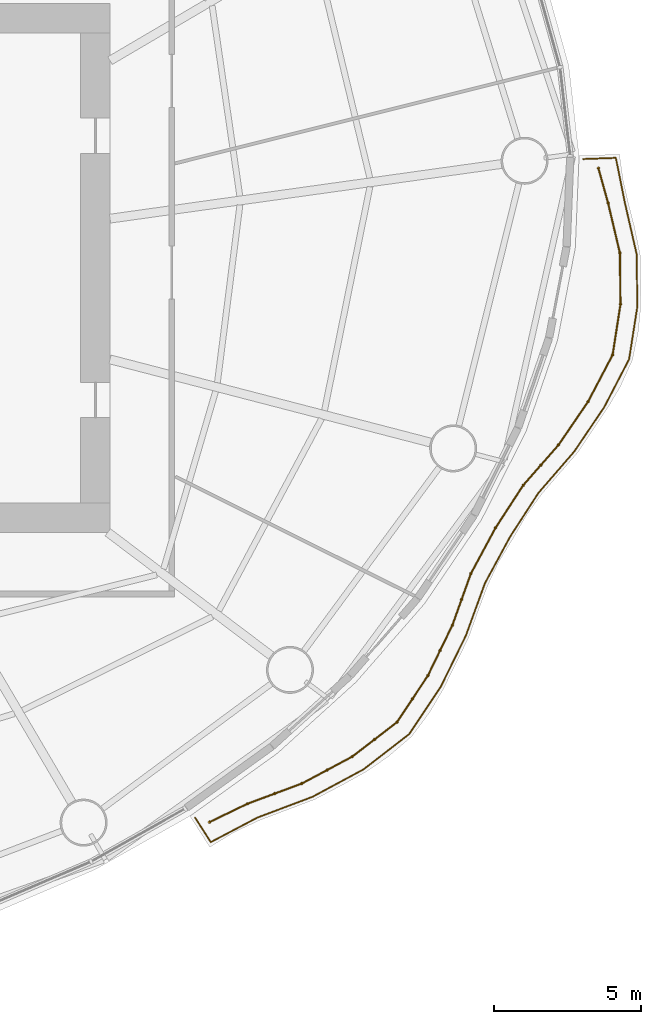
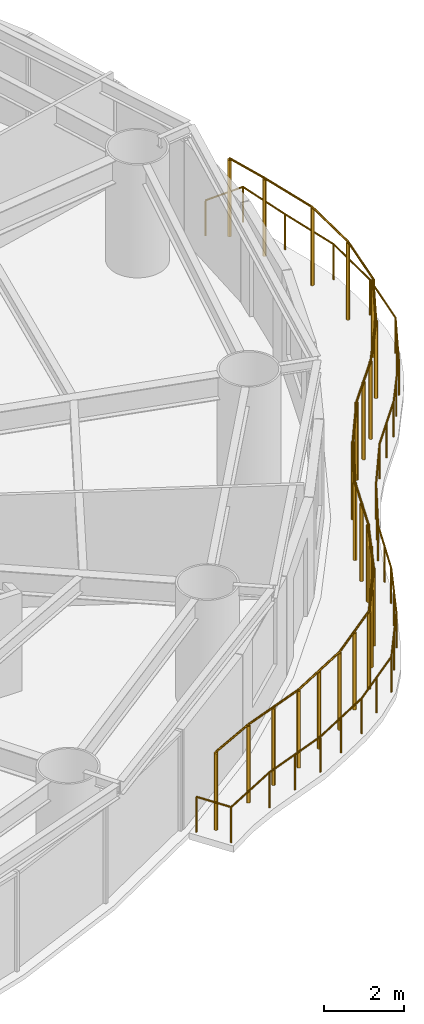
# One storey, part 14 of 16: 2 railings.
"""IFC4 building model written with IfcOpenShell, lengths in metres."""

from ifc_helpers import new_model, si_unit, direction, frame, origin, origin_2d, place, context, subcontext, project, spatial, circle, extrude, material, type_object, element, save


model = new_model("IFC4")

# Units and contexts
model_context = context("Model", 3, precision=1e-05, world=origin(), true_north=direction((0.0, 1.0)))
body_context = subcontext(model_context, "Body", "Model", "MODEL_VIEW")
ifc_project = project(units=[si_unit("LENGTHUNIT", "METRE"), si_unit("AREAUNIT", "SQUARE_METRE"), si_unit("VOLUMEUNIT", "CUBIC_METRE"), si_unit("PLANEANGLEUNIT", "RADIAN"), si_unit("MASSUNIT", "GRAM", prefix="KILO")], contexts=[model_context])

# Site, building, storey
site_placement = place(None, origin())
site = spatial("IfcSite", under=ifc_project, at=site_placement, CompositionType="ELEMENT")
building_placement = place(site_placement, origin())
building = spatial("IfcBuilding", under=site, at=building_placement, Name="Vermilion Reach Broadcast Tower", CompositionType="ELEMENT")
storey_placement = place(building_placement, frame((0.0, 0.0, 113.800048828125)))
storey = spatial("IfcBuildingStorey", under=building, at=storey_placement, Name="L26", CompositionType="ELEMENT", Elevation=113.800048828125)

# Railings
ifc_material_1 = material(Name="Terracotta baguette", Category="masonry")
railing_type_1 = type_object("IfcRailingType", Name="BAGUETTE SCREEN", PredefinedType="USERDEFINED", material=ifc_material_1)
railing_1_placement = place(storey_placement, frame((9.38330078125, -18.864501953125, 0.0)))
element("IfcRailing", 1, at=railing_1_placement, inside=storey, type_object=railing_type_1, Name="Baguette screen L26 group 4", ObjectType="BAGUETTE SCREEN", PredefinedType="USERDEFINED", context=body_context, shape_type="SweptSolid", body=[
    extrude(circle(Radius=0.030029296875, at=origin_2d()), frame((0.0, 0.0, 2.369873046875), z_axis=(0.900363381752, 0.435138806359, 0.0), x_axis=(-0.435138806359, 0.900363381752, 0.0)), (0.0, 0.0, 1.0), 1.436279296875),
    extrude(circle(Radius=0.030029296875, at=origin_2d()), frame((1.293212890625, 0.625, 2.369873046875), z_axis=(0.937298696392, 0.348527120527, 0.0), x_axis=(-0.348527120527, 0.937298696392, 0.0)), (0.0, 0.0, 1.0), 1.9794921875),
    extrude(circle(Radius=0.030029296875, at=origin_2d()), frame((3.148681640625, 1.31494140625, 2.369873046875), z_axis=(0.882196014304, 0.470882355101, 0.0), x_axis=(-0.470882355101, 0.882196014304, 0.0)), (0.0, 0.0, 1.0), 1.9384765625),
    extrude(circle(Radius=0.030029296875, at=origin_2d()), frame((4.85888671875, 2.227783203125, 2.369873046875), z_axis=(0.792251511887, 0.610194675422, 0.0), x_axis=(-0.610194675422, 0.792251511887, 0.0)), (0.0, 0.0, 1.0), 1.92578125),
    extrude(circle(Radius=0.030029296875, at=origin_2d()), frame((6.384521484375, 3.40283203125, 2.369873046875), z_axis=(0.552652500035, 0.833411791496, 0.0), x_axis=(-0.833411791496, 0.552652500035, 0.0)), (0.0, 0.0, 1.0), 1.89990234375),
    extrude(circle(Radius=0.030029296875, at=origin_2d()), frame((7.4345703125, 4.986328125, 2.369873046875), z_axis=(0.437007409004, 0.899457905894, 0.0), x_axis=(-0.899457905894, 0.437007409004, 0.0)), (0.0, 0.0, 1.0), 1.909423828125),
    extrude(circle(Radius=0.030029296875, at=origin_2d()), frame((8.26904296875, 6.703857421875, 2.369873046875), z_axis=(0.337101334645, 0.941468369188, 0.0), x_axis=(-0.941468369188, 0.337101334645, 0.0)), (0.0, 0.0, 1.0), 1.85986328125),
    extrude(circle(Radius=0.030029296875, at=origin_2d()), frame((8.89599609375, 8.454833984375, 2.369873046875), z_axis=(0.474378990574, 0.880320721841, 0.0), x_axis=(-0.880320721841, 0.474378990574, 0.0)), (0.0, 0.0, 1.0), 1.77294921875),
    extrude(circle(Radius=0.030029296875, at=origin_2d()), frame((9.737060546875, 10.015625, 2.369873046875), z_axis=(0.544859378007, 0.838527434374, 0.0), x_axis=(-0.838527434374, 0.544859378007, 0.0)), (0.0, 0.0, 1.0), 1.72998046875),
    extrude(circle(Radius=0.030029296875, at=origin_2d()), frame((10.6796875, 11.46630859375, 2.369873046875), z_axis=(0.658959628995, 0.752178308219, 0.0), x_axis=(-0.752178308219, 0.658959628995, 0.0)), (0.0, 0.0, 1.0), 1.82275390625),
    extrude(circle(Radius=0.030029296875, at=origin_2d()), frame((11.880859375, 12.83740234375, 2.369873046875), z_axis=(0.563756893247, 0.825940775914, 0.0), x_axis=(-0.825940775914, 0.563756893247, 0.0)), (0.0, 0.0, 1.0), 1.78515625),
    extrude(circle(Radius=0.030029296875, at=origin_2d()), frame((12.88720703125, 14.311767578125, 2.369873046875), z_axis=(0.464442958968, 0.885603036278, 0.0), x_axis=(-0.885603036278, 0.464442958968, 0.0)), (0.0, 0.0, 1.0), 1.79931640625),
    extrude(circle(Radius=0.030029296875, at=origin_2d()), frame((13.722900390625, 15.9052734375, 2.369873046875), z_axis=(0.153216854826, 0.988192590236, 0.0), x_axis=(-0.988192590236, 0.153216854826, 0.0)), (0.0, 0.0, 1.0), 1.739990234375),
    extrude(circle(Radius=0.030029296875, at=origin_2d()), frame((13.989501953125, 17.624755859375, 2.369873046875), z_axis=(-0.01171794542, 0.999931342521, 0.0), x_axis=(-0.999931342521, -0.01171794542, 0.0)), (0.0, 0.0, 1.0), 1.75),
    extrude(circle(Radius=0.030029296875, at=origin_2d()), frame((13.968994140625, 19.374755859375, 2.369873046875), z_axis=(-0.230145836808, 0.97315615078, 0.0), x_axis=(-0.97315615078, -0.230145836808, 0.0)), (0.0, 0.0, 1.0), 1.74609375),
    extrude(circle(Radius=0.030029296875, at=origin_2d()), frame((13.567138671875, 21.073974609375, 2.369873046875), z_axis=(-0.267551662831, 0.963543516255, 0.0), x_axis=(-0.963543516255, -0.267551662831, 0.0)), (0.0, 0.0, 1.0), 1.229248046875),
    extrude(circle(Radius=0.050048828125, at=origin_2d()), origin(), (0.0, 0.0, 1.0), 2.33984375),
    extrude(circle(Radius=0.050048828125, at=origin_2d()), frame((1.293212890625, 0.625, 0.0)), (0.0, 0.0, 1.0), 2.33984375),
    extrude(circle(Radius=0.050048828125, at=origin_2d()), frame((2.220947265625, 0.969970703125, 0.0)), (0.0, 0.0, 1.0), 2.33984375),
    extrude(circle(Radius=0.050048828125, at=origin_2d()), frame((3.148681640625, 1.31494140625, 0.0)), (0.0, 0.0, 1.0), 2.33984375),
    extrude(circle(Radius=0.050048828125, at=origin_2d()), frame((4.00390625, 1.771484375, 0.0)), (0.0, 0.0, 1.0), 2.33984375),
    extrude(circle(Radius=0.050048828125, at=origin_2d()), frame((4.85888671875, 2.227783203125, 0.0)), (0.0, 0.0, 1.0), 2.33984375),
    extrude(circle(Radius=0.050048828125, at=origin_2d()), frame((5.62158203125, 2.8154296875, 0.0)), (0.0, 0.0, 1.0), 2.33984375),
    extrude(circle(Radius=0.050048828125, at=origin_2d()), frame((6.384521484375, 3.40283203125, 0.0)), (0.0, 0.0, 1.0), 2.33984375),
    extrude(circle(Radius=0.050048828125, at=origin_2d()), frame((6.90966796875, 4.194580078125, 0.0)), (0.0, 0.0, 1.0), 2.33984375),
    extrude(circle(Radius=0.050048828125, at=origin_2d()), frame((7.4345703125, 4.986328125, 0.0)), (0.0, 0.0, 1.0), 2.33984375),
    extrude(circle(Radius=0.050048828125, at=origin_2d()), frame((7.851806640625, 5.84521484375, 0.0)), (0.0, 0.0, 1.0), 2.33984375),
    extrude(circle(Radius=0.050048828125, at=origin_2d()), frame((8.26904296875, 6.703857421875, 0.0)), (0.0, 0.0, 1.0), 2.33984375),
    extrude(circle(Radius=0.050048828125, at=origin_2d()), frame((8.58251953125, 7.579345703125, 0.0)), (0.0, 0.0, 1.0), 2.33984375),
    extrude(circle(Radius=0.050048828125, at=origin_2d()), frame((8.89599609375, 8.454833984375, 0.0)), (0.0, 0.0, 1.0), 2.33984375),
    extrude(circle(Radius=0.050048828125, at=origin_2d()), frame((9.737060546875, 10.015625, 0.0)), (0.0, 0.0, 1.0), 2.33984375),
    extrude(circle(Radius=0.050048828125, at=origin_2d()), frame((10.6796875, 11.46630859375, 0.0)), (0.0, 0.0, 1.0), 2.33984375),
    extrude(circle(Radius=0.050048828125, at=origin_2d()), frame((11.2802734375, 12.15185546875, 0.0)), (0.0, 0.0, 1.0), 2.33984375),
    extrude(circle(Radius=0.050048828125, at=origin_2d()), frame((11.880859375, 12.83740234375, 0.0)), (0.0, 0.0, 1.0), 2.33984375),
    extrude(circle(Radius=0.050048828125, at=origin_2d()), frame((12.88720703125, 14.311767578125, 0.0)), (0.0, 0.0, 1.0), 2.33984375),
    extrude(circle(Radius=0.050048828125, at=origin_2d()), frame((13.722900390625, 15.9052734375, 0.0)), (0.0, 0.0, 1.0), 2.33984375),
    extrude(circle(Radius=0.050048828125, at=origin_2d()), frame((13.989501953125, 17.624755859375, 0.0)), (0.0, 0.0, 1.0), 2.33984375),
    extrude(circle(Radius=0.050048828125, at=origin_2d()), frame((13.968994140625, 19.374755859375, 0.0)), (0.0, 0.0, 1.0), 2.33984375),
    extrude(circle(Radius=0.050048828125, at=origin_2d()), frame((13.567138671875, 21.073974609375, 0.0)), (0.0, 0.0, 1.0), 2.33984375),
    extrude(circle(Radius=0.050048828125, at=origin_2d()), frame((13.23828125, 22.25830078125, 0.0)), (0.0, 0.0, 1.0), 2.33984375),
])
ifc_material_2 = material(Name="Stainless steel 316 balustrade", Category="steel")
railing_type_2 = type_object("IfcRailingType", Name="Balcony guard 1100", PredefinedType="BALUSTRADE", material=ifc_material_2)
railing_2_placement = place(storey_placement, frame((8.89794921875, -18.716796875, 0.0)))
element("IfcRailing", 2, at=railing_2_placement, inside=storey, type_object=railing_type_2, Name="Balcony guard L26 group 4", PredefinedType="BALUSTRADE", context=body_context, shape_type="SweptSolid", body=[
    extrude(circle(Radius=0.02490234375, at=origin_2d()), frame((0.0, 0.0, 1.0751953125), z_axis=(0.538271784025, -0.842771313301, 0.0), x_axis=(0.842771313301, 0.538271784025, 0.0)), (0.0, 0.0, 1.0), 0.98388671875),
    extrude(circle(Radius=0.02490234375, at=origin_2d()), frame((0.529541015625, -0.8291015625, 1.0751953125), z_axis=(0.884953642965, 0.465679127515, 0.0), x_axis=(-0.465679127515, 0.884953642965, 0.0)), (0.0, 0.0, 1.0), 1.7939453125),
    extrude(circle(Radius=0.02490234375, at=origin_2d()), frame((2.1171875, 0.00634765625, 1.0751953125), z_axis=(0.935638793436, 0.352958989426, 0.0), x_axis=(-0.352958989426, 0.935638793436, 0.0)), (0.0, 0.0, 1.0), 2.0107421875),
    extrude(circle(Radius=0.02490234375, at=origin_2d()), frame((3.99853515625, 0.716064453125, 1.0751953125), z_axis=(0.880487014157, 0.47407026684, 0.0), x_axis=(-0.47407026684, 0.880487014157, 0.0)), (0.0, 0.0, 1.0), 1.970458984375),
    extrude(circle(Radius=0.02490234375, at=origin_2d()), frame((5.7333984375, 1.650146484375, 1.0751953125), z_axis=(0.791106847853, 0.611677983322, 0.0), x_axis=(-0.611677983322, 0.791106847853, 0.0)), (0.0, 0.0, 1.0), 1.959228515625),
    extrude(circle(Radius=0.02490234375, at=origin_2d()), frame((7.283447265625, 2.8486328125, 1.0751953125), z_axis=(0.555049797152, 0.831817120936, 0.0), x_axis=(-0.831817120936, 0.555049797152, 0.0)), (0.0, 0.0, 1.0), 1.93359375),
    extrude(circle(Radius=0.02490234375, at=origin_2d()), frame((8.356689453125, 4.45703125, 1.0751953125), z_axis=(0.440822226956, 0.897594431924, 0.0), x_axis=(-0.897594431924, 0.440822226956, 0.0)), (0.0, 0.0, 1.0), 1.94384765625),
    extrude(circle(Radius=0.02490234375, at=origin_2d()), frame((9.213623046875, 6.201904296875, 1.0751953125), z_axis=(0.342094920881, 0.939665400612, 0.0), x_axis=(-0.939665400612, 0.342094920881, 0.0)), (0.0, 0.0, 1.0), 1.89404296875),
    extrude(circle(Radius=0.02490234375, at=origin_2d()), frame((9.861572265625, 7.981689453125, 1.0751953125), z_axis=(0.475635529181, 0.879642452011, 0.0), x_axis=(-0.879642452011, 0.475635529181, 0.0)), (0.0, 0.0, 1.0), 1.809814453125),
    extrude(circle(Radius=0.02490234375, at=origin_2d()), frame((10.722412109375, 9.57373046875, 1.0751953125), z_axis=(0.543491843336, 0.839414448427, 0.0), x_axis=(-0.839414448427, 0.543491843336, 0.0)), (0.0, 0.0, 1.0), 1.76708984375),
    extrude(circle(Radius=0.02490234375, at=origin_2d()), frame((11.682861328125, 11.05712890625, 1.0751953125), z_axis=(0.65442580379, 0.756126224471, 0.0), x_axis=(-0.756126224471, 0.65442580379, 0.0)), (0.0, 0.0, 1.0), 1.8603515625),
    extrude(circle(Radius=0.02490234375, at=origin_2d()), frame((12.900390625, 12.4638671875, 1.0751953125), z_axis=(0.559695903155, 0.828698072878, 0.0), x_axis=(-0.828698072878, 0.559695903155, 0.0)), (0.0, 0.0, 1.0), 1.8232421875),
    extrude(circle(Radius=0.02490234375, at=origin_2d()), frame((13.9208984375, 13.974853515625, 1.0751953125), z_axis=(0.460750946474, 0.887529472932, 0.0), x_axis=(-0.887529472932, 0.460750946474, 0.0)), (0.0, 0.0, 1.0), 1.83984375),
    extrude(circle(Radius=0.02490234375, at=origin_2d()), frame((14.7685546875, 15.607666015625, 1.0751953125), z_axis=(0.154857619939, 0.987936798356, 0.0), x_axis=(-0.987936798356, 0.154857619939, 0.0)), (0.0, 0.0, 1.0), 1.781494140625),
    extrude(circle(Radius=0.02490234375, at=origin_2d()), frame((15.04443359375, 17.36767578125, 1.0751953125), z_axis=(-0.007762261034, 0.999969873198, 0.0), x_axis=(-0.999969873198, -0.007762261034, 0.0)), (0.0, 0.0, 1.0), 1.792724609375),
    extrude(circle(Radius=0.02490234375, at=origin_2d()), frame((15.030517578125, 19.160400390625, 1.0751953125), z_axis=(-0.222943496855, 0.974831368602, 0.0), x_axis=(-0.974831368602, -0.222943496855, 0.0)), (0.0, 0.0, 1.0), 1.787109375),
    extrude(circle(Radius=0.02490234375, at=origin_2d()), frame((14.632080078125, 20.902587890625, 1.0751953125), z_axis=(-0.198329663092, 0.980135370619, 0.0), x_axis=(-0.980135370619, -0.198329663092, 0.0)), (0.0, 0.0, 1.0), 1.59033203125),
    extrude(circle(Radius=0.02490234375, at=origin_2d()), frame((14.316650390625, 22.46142578125, 1.0751953125), z_axis=(-0.999335847363, -0.036439870677, 0.0), x_axis=(0.036439870677, -0.999335847363, 0.0)), (0.0, 0.0, 1.0), 1.10546875),
    extrude(circle(Radius=0.02490234375, at=origin_2d()), origin(), (0.0, 0.0, 1.0), 1.050048828125),
    extrude(circle(Radius=0.02490234375, at=origin_2d()), frame((0.529541015625, -0.8291015625, 0.0)), (0.0, 0.0, 1.0), 1.050048828125),
    extrude(circle(Radius=0.02490234375, at=origin_2d()), frame((2.1171875, 0.00634765625, 0.0)), (0.0, 0.0, 1.0), 1.050048828125),
    extrude(circle(Radius=0.02490234375, at=origin_2d()), frame((3.057861328125, 0.361328125, 0.0)), (0.0, 0.0, 1.0), 1.050048828125),
    extrude(circle(Radius=0.02490234375, at=origin_2d()), frame((3.99853515625, 0.716064453125, 0.0)), (0.0, 0.0, 1.0), 1.050048828125),
    extrude(circle(Radius=0.02490234375, at=origin_2d()), frame((4.865966796875, 1.18310546875, 0.0)), (0.0, 0.0, 1.0), 1.050048828125),
    extrude(circle(Radius=0.02490234375, at=origin_2d()), frame((5.7333984375, 1.650146484375, 0.0)), (0.0, 0.0, 1.0), 1.050048828125),
    extrude(circle(Radius=0.02490234375, at=origin_2d()), frame((6.50830078125, 2.24951171875, 0.0)), (0.0, 0.0, 1.0), 1.050048828125),
    extrude(circle(Radius=0.02490234375, at=origin_2d()), frame((7.283447265625, 2.8486328125, 0.0)), (0.0, 0.0, 1.0), 1.050048828125),
    extrude(circle(Radius=0.02490234375, at=origin_2d()), frame((7.820068359375, 3.65283203125, 0.0)), (0.0, 0.0, 1.0), 1.050048828125),
    extrude(circle(Radius=0.02490234375, at=origin_2d()), frame((8.356689453125, 4.45703125, 0.0)), (0.0, 0.0, 1.0), 1.050048828125),
    extrude(circle(Radius=0.02490234375, at=origin_2d()), frame((8.78515625, 5.32958984375, 0.0)), (0.0, 0.0, 1.0), 1.050048828125),
    extrude(circle(Radius=0.02490234375, at=origin_2d()), frame((9.213623046875, 6.201904296875, 0.0)), (0.0, 0.0, 1.0), 1.050048828125),
    extrude(circle(Radius=0.02490234375, at=origin_2d()), frame((9.53759765625, 7.091796875, 0.0)), (0.0, 0.0, 1.0), 1.050048828125),
    extrude(circle(Radius=0.02490234375, at=origin_2d()), frame((9.861572265625, 7.981689453125, 0.0)), (0.0, 0.0, 1.0), 1.050048828125),
    extrude(circle(Radius=0.02490234375, at=origin_2d()), frame((10.2919921875, 8.77783203125, 0.0)), (0.0, 0.0, 1.0), 1.050048828125),
    extrude(circle(Radius=0.02490234375, at=origin_2d()), frame((10.722412109375, 9.57373046875, 0.0)), (0.0, 0.0, 1.0), 1.050048828125),
    extrude(circle(Radius=0.02490234375, at=origin_2d()), frame((11.682861328125, 11.05712890625, 0.0)), (0.0, 0.0, 1.0), 1.050048828125),
    extrude(circle(Radius=0.02490234375, at=origin_2d()), frame((12.29150390625, 11.760498046875, 0.0)), (0.0, 0.0, 1.0), 1.050048828125),
    extrude(circle(Radius=0.02490234375, at=origin_2d()), frame((12.900390625, 12.4638671875, 0.0)), (0.0, 0.0, 1.0), 1.050048828125),
    extrude(circle(Radius=0.02490234375, at=origin_2d()), frame((13.41064453125, 13.21923828125, 0.0)), (0.0, 0.0, 1.0), 1.050048828125),
    extrude(circle(Radius=0.02490234375, at=origin_2d()), frame((13.9208984375, 13.974853515625, 0.0)), (0.0, 0.0, 1.0), 1.050048828125),
    extrude(circle(Radius=0.02490234375, at=origin_2d()), frame((14.3447265625, 14.791259765625, 0.0)), (0.0, 0.0, 1.0), 1.050048828125),
    extrude(circle(Radius=0.02490234375, at=origin_2d()), frame((14.7685546875, 15.607666015625, 0.0)), (0.0, 0.0, 1.0), 1.050048828125),
    extrude(circle(Radius=0.02490234375, at=origin_2d()), frame((15.04443359375, 17.36767578125, 0.0)), (0.0, 0.0, 1.0), 1.050048828125),
    extrude(circle(Radius=0.02490234375, at=origin_2d()), frame((15.030517578125, 19.160400390625, 0.0)), (0.0, 0.0, 1.0), 1.050048828125),
    extrude(circle(Radius=0.02490234375, at=origin_2d()), frame((14.632080078125, 20.902587890625, 0.0)), (0.0, 0.0, 1.0), 1.050048828125),
    extrude(circle(Radius=0.02490234375, at=origin_2d()), frame((14.316650390625, 22.46142578125, 0.0)), (0.0, 0.0, 1.0), 1.050048828125),
    extrude(circle(Radius=0.02490234375, at=origin_2d()), frame((13.2119140625, 22.421142578125, 0.0)), (0.0, 0.0, 1.0), 1.050048828125),
])

save(model, "model.ifc")
